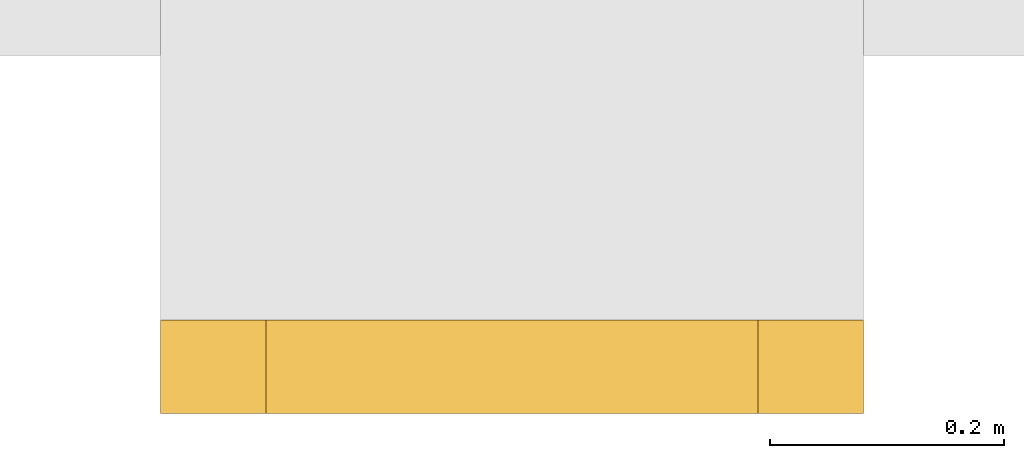
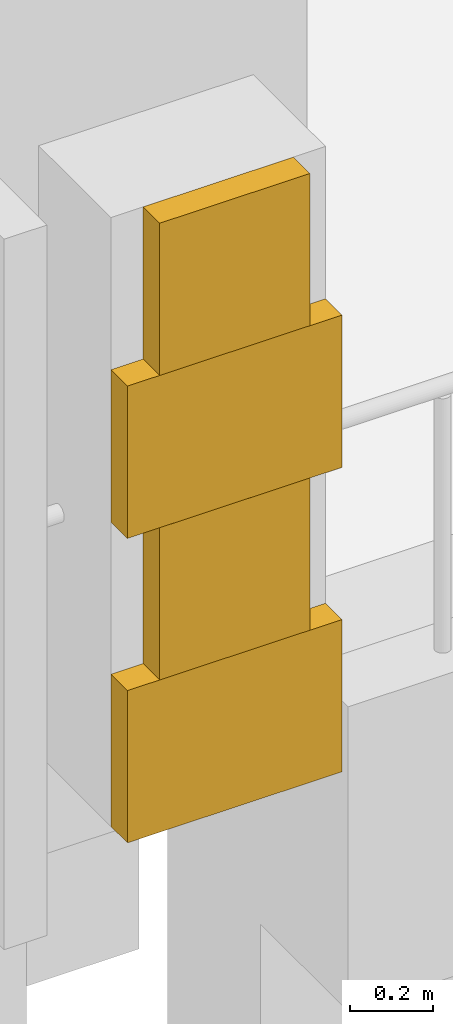
# One storey, part 53 of 57: 4 coverings.
"""IFC4 building model written with IfcOpenShell, lengths in metres."""

from ifc_helpers import new_model, si_unit, direction, frame, origin, place, context, subcontext, project, spatial, polyline, outline, extrude, material, layer, layer_set, type_object, element, save


model = new_model("IFC4")

# Units and contexts
model_context = context("Model", 3, precision=1e-05, world=origin(), true_north=direction((0.0, 1.0)))
body_context = subcontext(model_context, "Body", "Model", "MODEL_VIEW")
ifc_project = project(units=[si_unit("LENGTHUNIT", "METRE"), si_unit("AREAUNIT", "SQUARE_METRE"), si_unit("VOLUMEUNIT", "CUBIC_METRE"), si_unit("PLANEANGLEUNIT", "RADIAN"), si_unit("MASSUNIT", "GRAM", prefix="KILO")], contexts=[model_context])

# Site, building, storey
site_placement = place(None, origin())
site = spatial("IfcSite", under=ifc_project, at=site_placement, CompositionType="ELEMENT")
building_placement = place(site_placement, origin())
building = spatial("IfcBuilding", under=site, at=building_placement, Name="Cour d'Honneur Mobility Palace", CompositionType="ELEMENT")
storey_placement = place(building_placement, frame((0.0, 0.0, 8.199951171875)))
storey = spatial("IfcBuildingStorey", under=building, at=storey_placement, Name="L02", CompositionType="ELEMENT", Elevation=8.199951171875)

# Coverings
ifc_material = material(Name="Cast limestone", Category="masonry")
ifc_layer = layer(ifc_material, 0.080078125)
ifc_layer_set = layer_set([ifc_layer], Name="Cast limestone")
covering_type = type_object("IfcCoveringType", Name="Quoin block", PredefinedType="CLADDING", material=ifc_layer_set)
covering_1_placement = place(storey_placement, frame((0.0, 0.0, 0.300048828125)))
element("IfcCovering", 1, at=covering_1_placement, inside=storey, type_object=covering_type, Name="Quoin block QN-9", PredefinedType="CLADDING", context=body_context, shape_type="SweptSolid", body=[
    extrude(outline(polyline([(8.39990234375, -0.800048828125), (9.0, -0.800048828125), (9.0, -0.8798828125), (8.39990234375, -0.8798828125), (8.39990234375, -0.800048828125)])), origin(), (0.0, 0.0, 1.0), 0.449951171875),
])
covering_2_placement = place(storey_placement, frame((0.0, 0.0, 0.75)))
element("IfcCovering", 2, at=covering_2_placement, inside=storey, type_object=covering_type, Name="Quoin block QN-10", PredefinedType="CLADDING", context=body_context, shape_type="SweptSolid", body=[
    extrude(outline(polyline([(8.489990234375, -0.800048828125), (8.909912109375, -0.800048828125), (8.909912109375, -0.8798828125), (8.489990234375, -0.8798828125), (8.489990234375, -0.800048828125)])), origin(), (0.0, 0.0, 1.0), 0.449951171875),
])
covering_3_placement = place(storey_placement, frame((0.0, 0.0, 1.199951171875)))
element("IfcCovering", 3, at=covering_3_placement, inside=storey, type_object=covering_type, Name="Quoin block QN-11", PredefinedType="CLADDING", context=body_context, shape_type="SweptSolid", body=[
    extrude(outline(polyline([(8.39990234375, -0.800048828125), (9.0, -0.800048828125), (9.0, -0.8798828125), (8.39990234375, -0.8798828125), (8.39990234375, -0.800048828125)])), origin(), (0.0, 0.0, 1.0), 0.4501953125),
])
covering_4_placement = place(storey_placement, frame((0.0, 0.0, 1.650146484375)))
element("IfcCovering", 4, at=covering_4_placement, inside=storey, type_object=covering_type, Name="Quoin block QN-12", PredefinedType="CLADDING", context=body_context, shape_type="SweptSolid", body=[
    extrude(outline(polyline([(8.489990234375, -0.800048828125), (8.909912109375, -0.800048828125), (8.909912109375, -0.8798828125), (8.489990234375, -0.8798828125), (8.489990234375, -0.800048828125)])), origin(), (0.0, 0.0, 1.0), 0.449951171875),
])

save(model, "model.ifc")
